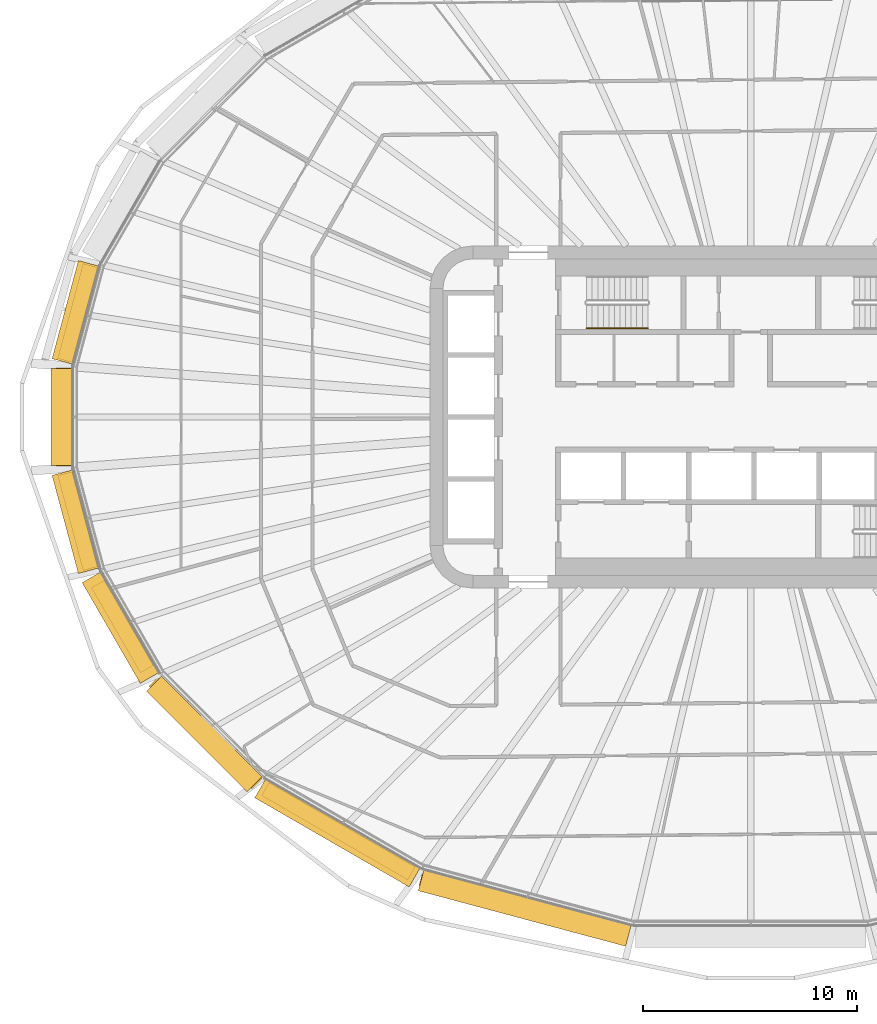
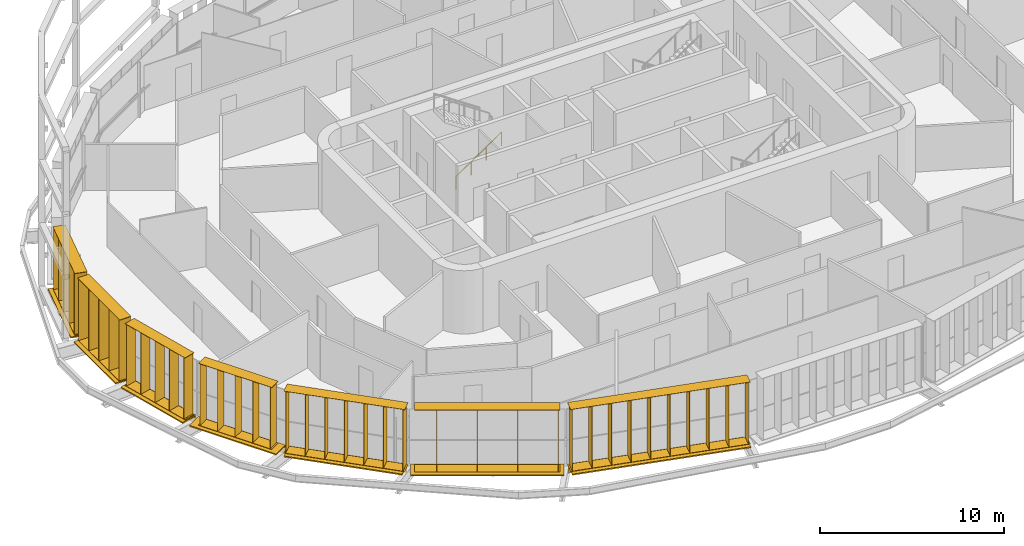
# One storey, part 21 of 26: 14 shading devices, 1 railing.
"""IFC4 building model written with IfcOpenShell, lengths in metres."""

import ifcopenshell
import ifcopenshell.guid

model = None  # the IFC model being written
_history = None  # IfcOwnerHistory: only IFC2X3 demands one
_inside = {}  # id of a spatial element -> (the spatial element, [elements in it])
_under = {}  # id of a project, library or spatial element -> (it, [spatial elements below it])
_declared = {}  # id of a project -> (the project, [libraries it declares])
_typed = {}  # id of a type object -> (the type object, [elements of that type])
_made_of = {}  # id of a material, layer set ... -> (it, [elements and type objects made of it])


def new_model(schema):
    """Start an empty IFC model of exactly this schema.

    Asked for "IFC4X3", IfcOpenShell would pick the latest addendum, in which some entities
    have other attributes; the version numbers below select the first issue.
    IFC2X3 requires an IfcOwnerHistory on every rooted entity: one is made here for all.
    """
    global model, _history
    if schema == "IFC4X3":
        model = ifcopenshell.file(schema_version=(4, 3, 0, 0))
    else:
        model = ifcopenshell.file(schema=schema)
    _inside.clear()
    _under.clear()
    _declared.clear()
    _typed.clear()
    _made_of.clear()
    _history = None
    if model.schema == "IFC2X3":
        org = make("IfcOrganization", Name="unknown")
        user = make(
            "IfcPersonAndOrganization",
            ThePerson=make("IfcPerson", FamilyName="unknown"),
            TheOrganization=org,
        )
        app = make(
            "IfcApplication",
            ApplicationDeveloper=org,
            Version="unknown",
            ApplicationFullName="unknown",
            ApplicationIdentifier="unknown",
        )
        _history = make(
            "IfcOwnerHistory",
            OwningUser=user,
            OwningApplication=app,
            ChangeAction="ADDED",
            CreationDate=0,
        )
    return model


def make(cls, **values):
    """One entity of the class cls with the attributes given. An attribute that is None is left unset."""
    return model.create_entity(
        cls, **{name: value for name, value in values.items() if value is not None}
    )


def rooted(cls, **values):
    """An entity with a GlobalId (a new one), such as an element, a storey or a relation."""
    return make(cls, GlobalId=ifcopenshell.guid.new(), OwnerHistory=_history, **values)


def si_unit(unit_type, name, prefix=None):
    """IfcSIUnit, for example si_unit("LENGTHUNIT", "METRE", prefix="MILLI")."""
    return make("IfcSIUnit", UnitType=unit_type, Prefix=prefix, Name=name)


def assignment(units):
    """IfcUnitAssignment: the units of a project."""
    return None if units is None else make("IfcUnitAssignment", Units=units)


def point(xyz):
    """IfcCartesianPoint."""
    return None if xyz is None else make("IfcCartesianPoint", Coordinates=xyz)


def direction(xyz):
    """IfcDirection."""
    return None if xyz is None else make("IfcDirection", DirectionRatios=xyz)


def frame(location, z_axis=None, x_axis=None):
    """IfcAxis2Placement3D, a coordinate frame: its origin and axes. An axis left out is left unset."""
    return make(
        "IfcAxis2Placement3D",
        Location=point(location),
        Axis=direction(z_axis),
        RefDirection=direction(x_axis),
    )


def frame_2d(location, x_axis=None):
    """IfcAxis2Placement2D, a coordinate frame in the plane: its origin and x axis."""
    return make(
        "IfcAxis2Placement2D", Location=point(location), RefDirection=direction(x_axis)
    )


def origin():
    """The frame at (0, 0, 0) with its axes left unset."""
    return frame((0.0, 0.0, 0.0))


def origin_2d():
    """The frame at (0, 0) in the plane with its x axis left unset."""
    return frame_2d((0.0, 0.0))


def place(relative_to, where):
    """IfcLocalPlacement: puts the frame where relative to a parent placement (None: the world)."""
    return make(
        "IfcLocalPlacement", PlacementRelTo=relative_to, RelativePlacement=where
    )


def context(
    kind, dimensions, precision=None, world=None, true_north=None, identifier=None
):
    """IfcGeometricRepresentationContext, for example the 3D "Model" context."""
    return make(
        "IfcGeometricRepresentationContext",
        ContextIdentifier=identifier,
        ContextType=kind,
        CoordinateSpaceDimension=dimensions,
        Precision=precision,
        WorldCoordinateSystem=world,
        TrueNorth=true_north,
    )


def subcontext(parent, identifier, kind, view, scale=None):
    """IfcGeometricRepresentationSubContext, for example "Body" below "Model"."""
    return make(
        "IfcGeometricRepresentationSubContext",
        ContextIdentifier=identifier,
        ContextType=kind,
        ParentContext=parent,
        TargetScale=scale,
        TargetView=view,
    )


def project(units=None, contexts=None):
    """IfcProject with its units and contexts."""
    return rooted(
        "IfcProject",
        Name="project",
        RepresentationContexts=contexts,
        UnitsInContext=assignment(units),
    )


def spatial(cls, under=None, at=None, **own):
    """A site, building, storey or space (cls), placed at a placement, below another one or the project."""
    s = rooted(cls, ObjectPlacement=at, **own)
    if under is not None:
        _under.setdefault(under.id(), (under, []))[1].append(s)
    return s


def profile(cls, at=None, kind="AREA", **sizes):
    """A parametric profile (cls). Its sizes go by their IFC names, for example OverallWidth=200.0."""
    return make(cls, ProfileType=kind, Position=at, **sizes)


def rectangle(**sizes):
    """IfcRectangleProfileDef."""
    return profile("IfcRectangleProfileDef", **sizes)


def circle(**sizes):
    """IfcCircleProfileDef."""
    return profile("IfcCircleProfileDef", **sizes)


def extrude(swept, where, along, depth):
    """IfcExtrudedAreaSolid: the profile swept, set in the frame where, extruded along a direction by depth."""
    return make(
        "IfcExtrudedAreaSolid",
        SweptArea=swept,
        Position=where,
        ExtrudedDirection=direction(along),
        Depth=depth,
    )


def shape(context_of_items, identifier, shape_type, items):
    """IfcShapeRepresentation: the items that make up one representation, for example the "Body"."""
    return make(
        "IfcShapeRepresentation",
        ContextOfItems=context_of_items,
        RepresentationIdentifier=identifier,
        RepresentationType=shape_type,
        Items=items,
    )


def material(Name=None, Category=None):
    """IfcMaterial."""
    return make("IfcMaterial", Name=Name, Category=Category)


def made_of(thing, what):
    """Note that an element or type object is made of a material, layer set ...; save() writes the relation."""
    if what is not None:
        _made_of.setdefault(what.id(), (what, []))[1].append(thing)
    return thing


def type_object(cls, material=None, **own):
    """A type object (cls), such as IfcWallType, which elements share."""
    return made_of(rooted(cls, **own), material)


def element(
    cls,
    number,
    at=None,
    inside=None,
    cuts=None,
    type_object=None,
    material=None,
    context=None,
    identifier="Body",
    shape_type=None,
    held_by="IfcProductDefinitionShape",
    body=None,
    shapes=None,
    **own,
):
    """One element of the class cls, such as IfcWall. Its Tag is "e" and its number.

    at: its placement. inside: the storey or other place that contains it. cuts: it is an
    opening in that element (IfcRelVoidsElement). A single representation is given by context,
    identifier, shape_type and body (its items); several are given by shapes. held_by: the class
    of the entity that holds the representations. save() writes the other relations.
    """
    e = rooted(cls, Tag="e%d" % number, ObjectPlacement=at, **own)
    if body is not None:
        shapes = [shape(context, identifier, shape_type, body)]
    if shapes is not None:
        e.Representation = make(held_by, Representations=shapes)
    if inside is not None:
        _inside.setdefault(inside.id(), (inside, []))[1].append(e)
    if cuts is not None:
        rooted(
            "IfcRelVoidsElement", RelatingBuildingElement=cuts, RelatedOpeningElement=e
        )
    if type_object is not None:
        _typed.setdefault(type_object.id(), (type_object, []))[1].append(e)
    return made_of(e, material)


def aggregate(whole, parts):
    """IfcRelAggregates: a whole, such as a stair, and the parts it consists of."""
    return rooted("IfcRelAggregates", RelatingObject=whole, RelatedObjects=parts)


def save(model, path):
    """Write the relations noted so far, then the file.

    IfcRelAggregates (storeys below a building ...), IfcRelContainedInSpatialStructure (elements
    in a storey), IfcRelDefinesByType, IfcRelAssociatesMaterial and IfcRelDeclares: one each for
    every whole, place, type object, material and project.
    """
    for whole, parts in _under.values():
        aggregate(whole, parts)
    for where, things in _inside.values():
        rooted(
            "IfcRelContainedInSpatialStructure",
            RelatedElements=things,
            RelatingStructure=where,
        )
    for kind, things in _typed.values():
        rooted("IfcRelDefinesByType", RelatedObjects=things, RelatingType=kind)
    for what, things in _made_of.values():
        rooted("IfcRelAssociatesMaterial", RelatedObjects=things, RelatingMaterial=what)
    for by, libraries in _declared.values():
        rooted("IfcRelDeclares", RelatingContext=by, RelatedDefinitions=libraries)
    model.write(path)


model = new_model("IFC4")

# Units and contexts
model_context = context("Model", 3, precision=1e-05, world=origin(), true_north=direction((0.0, 1.0)))
body_context = subcontext(model_context, "Body", "Model", "MODEL_VIEW")
ifc_project = project(units=[si_unit("LENGTHUNIT", "METRE"), si_unit("AREAUNIT", "SQUARE_METRE"), si_unit("VOLUMEUNIT", "CUBIC_METRE"), si_unit("PLANEANGLEUNIT", "RADIAN"), si_unit("MASSUNIT", "GRAM", prefix="KILO")], contexts=[model_context])

# Site, building, storey
site_placement = place(None, origin())
site = spatial("IfcSite", under=ifc_project, at=site_placement, CompositionType="ELEMENT")
building_placement = place(site_placement, origin())
building = spatial("IfcBuilding", under=site, at=building_placement, Name="Sahrelin Media Tower", CompositionType="ELEMENT")
storey_placement = place(building_placement, frame((0.0, 0.0, 84.0)))
storey = spatial("IfcBuildingStorey", under=building, at=storey_placement, Name="L15", CompositionType="ELEMENT", Elevation=84.0)

# Shading devices
ifc_material_1 = material(Name="Champagne anodised aluminium 6063-T6", Category="aluminium")
shading_device_type_1 = type_object("IfcShadingDeviceType", Name="Fin cassette", PredefinedType="USERDEFINED", material=ifc_material_1)
placement_1 = place(storey_placement, frame((-31.07080078125, 4.757568359375, 0.0), z_axis=(0.0, 0.0, 1.0), x_axis=(0.258807731996, 0.965928857556, 0.0)))
element("IfcShadingDevice", 1, at=placement_1, inside=storey, type_object=shading_device_type_1, Name="L15:FIN:L15-11", ObjectType="FIN", PredefinedType="USERDEFINED", context=body_context, shape_type="SweptSolid", body=[
    extrude(rectangle(XDim=4.60009765625, YDim=0.699951171875, at=origin_2d()), frame((0.0, 0.419921875, 0.0)), (0.0, 0.0, 1.0), 0.02001953125),
    extrude(rectangle(XDim=4.60009765625, YDim=0.699951171875, at=origin_2d()), frame((0.0, 0.419921875, 4.10009765625)), (0.0, 0.0, 1.0), 0.02001953125),
    extrude(rectangle(XDim=0.02001953125, YDim=0.699951171875, at=origin_2d()), frame((-2.199951171875, 0.419921875, 0.010009765625), z_axis=(0.0, 0.0, 1.0), x_axis=(1.0, 0.0, 0.0)), (0.0, 0.0, 1.0), 4.10009765625),
    extrude(rectangle(XDim=0.02001953125, YDim=0.699951171875, at=origin_2d()), frame((-1.10009765625, 0.419921875, 0.010009765625), z_axis=(0.0, 0.0, 1.0), x_axis=(1.0, 0.0, 0.0)), (0.0, 0.0, 1.0), 4.10009765625),
    extrude(rectangle(XDim=0.02001953125, YDim=0.699951171875, at=origin_2d()), frame((0.0, 0.419921875, 0.010009765625), z_axis=(0.0, 0.0, 1.0), x_axis=(1.0, 0.0, 0.0)), (0.0, 0.0, 1.0), 4.10009765625),
    extrude(rectangle(XDim=0.02001953125, YDim=0.699951171875, at=origin_2d()), frame((1.10009765625, 0.419921875, 0.010009765625), z_axis=(0.0, 0.0, 1.0), x_axis=(1.0, 0.0, 0.0)), (0.0, 0.0, 1.0), 4.10009765625),
    extrude(rectangle(XDim=0.02001953125, YDim=0.699951171875, at=origin_2d()), frame((2.199951171875, 0.419921875, 0.010009765625), z_axis=(0.0, 0.0, 1.0), x_axis=(1.0, 0.0, 0.0)), (0.0, 0.0, 1.0), 4.10009765625),
])
placement_2 = place(storey_placement, frame((-31.711181640625, 0.0, 0.0), z_axis=(0.0, 0.0, 1.0), x_axis=(0.0, 1.0, 0.0)))
element("IfcShadingDevice", 2, at=placement_2, inside=storey, type_object=shading_device_type_1, Name="L15:FIN:L15-12", ObjectType="FIN", PredefinedType="USERDEFINED", context=body_context, shape_type="SweptSolid", body=[
    extrude(rectangle(XDim=4.60009765625, YDim=0.699951171875, at=origin_2d()), frame((0.0, 0.419921875, 0.0)), (0.0, 0.0, 1.0), 0.02001953125),
    extrude(rectangle(XDim=4.60009765625, YDim=0.699951171875, at=origin_2d()), frame((0.0, 0.419921875, 4.10009765625)), (0.0, 0.0, 1.0), 0.02001953125),
    extrude(rectangle(XDim=0.02001953125, YDim=0.699951171875, at=origin_2d()), frame((-2.199951171875, 0.419921875, 0.010009765625), z_axis=(0.0, 0.0, 1.0), x_axis=(1.0, 0.0, 0.0)), (0.0, 0.0, 1.0), 4.10009765625),
    extrude(rectangle(XDim=0.02001953125, YDim=0.699951171875, at=origin_2d()), frame((-1.10009765625, 0.419921875, 0.010009765625), z_axis=(0.0, 0.0, 1.0), x_axis=(1.0, 0.0, 0.0)), (0.0, 0.0, 1.0), 4.10009765625),
    extrude(rectangle(XDim=0.02001953125, YDim=0.699951171875, at=origin_2d()), frame((0.0, 0.419921875, 0.010009765625), z_axis=(0.0, 0.0, 1.0), x_axis=(1.0, 0.0, 0.0)), (0.0, 0.0, 1.0), 4.10009765625),
    extrude(rectangle(XDim=0.02001953125, YDim=0.699951171875, at=origin_2d()), frame((1.10009765625, 0.419921875, 0.010009765625), z_axis=(0.0, 0.0, 1.0), x_axis=(1.0, 0.0, 0.0)), (0.0, 0.0, 1.0), 4.10009765625),
    extrude(rectangle(XDim=0.02001953125, YDim=0.699951171875, at=origin_2d()), frame((2.199951171875, 0.419921875, 0.010009765625), z_axis=(0.0, 0.0, 1.0), x_axis=(1.0, 0.0, 0.0)), (0.0, 0.0, 1.0), 4.10009765625),
])
placement_3 = place(storey_placement, frame((-31.07080078125, -4.757568359375, 0.0), z_axis=(0.0, 0.0, 1.0), x_axis=(-0.258807731996, 0.965928857556, 0.0)))
element("IfcShadingDevice", 3, at=placement_3, inside=storey, type_object=shading_device_type_1, Name="L15:FIN:L15-13", ObjectType="FIN", PredefinedType="USERDEFINED", context=body_context, shape_type="SweptSolid", body=[
    extrude(rectangle(XDim=4.60009765625, YDim=0.699951171875, at=origin_2d()), frame((0.0, 0.419921875, 0.0)), (0.0, 0.0, 1.0), 0.02001953125),
    extrude(rectangle(XDim=4.60009765625, YDim=0.699951171875, at=origin_2d()), frame((0.0, 0.419921875, 4.10009765625)), (0.0, 0.0, 1.0), 0.02001953125),
    extrude(rectangle(XDim=0.02001953125, YDim=0.699951171875, at=origin_2d()), frame((-2.199951171875, 0.419921875, 0.010009765625), z_axis=(0.0, 0.0, 1.0), x_axis=(1.0, 0.0, 0.0)), (0.0, 0.0, 1.0), 4.10009765625),
    extrude(rectangle(XDim=0.02001953125, YDim=0.699951171875, at=origin_2d()), frame((-1.10009765625, 0.419921875, 0.010009765625), z_axis=(0.0, 0.0, 1.0), x_axis=(1.0, 0.0, 0.0)), (0.0, 0.0, 1.0), 4.10009765625),
    extrude(rectangle(XDim=0.02001953125, YDim=0.699951171875, at=origin_2d()), frame((0.0, 0.419921875, 0.010009765625), z_axis=(0.0, 0.0, 1.0), x_axis=(1.0, 0.0, 0.0)), (0.0, 0.0, 1.0), 4.10009765625),
    extrude(rectangle(XDim=0.02001953125, YDim=0.699951171875, at=origin_2d()), frame((1.10009765625, 0.419921875, 0.010009765625), z_axis=(0.0, 0.0, 1.0), x_axis=(1.0, 0.0, 0.0)), (0.0, 0.0, 1.0), 4.10009765625),
    extrude(rectangle(XDim=0.02001953125, YDim=0.699951171875, at=origin_2d()), frame((2.199951171875, 0.419921875, 0.010009765625), z_axis=(0.0, 0.0, 1.0), x_axis=(1.0, 0.0, 0.0)), (0.0, 0.0, 1.0), 4.10009765625),
])
placement_4 = place(storey_placement, frame((-29.021484375, -9.58837890625, 0.0), z_axis=(0.0, 0.0, 1.0), x_axis=(-0.500011000363, 0.866019052629, 0.0)))
element("IfcShadingDevice", 4, at=placement_4, inside=storey, type_object=shading_device_type_1, Name="L15:FIN:L15-14", ObjectType="FIN", PredefinedType="USERDEFINED", context=body_context, shape_type="SweptSolid", body=[
    extrude(rectangle(XDim=4.60009765625, YDim=0.699951171875, at=origin_2d()), frame((0.0, 0.419921875, 0.0)), (0.0, 0.0, 1.0), 0.02001953125),
    extrude(rectangle(XDim=4.60009765625, YDim=0.699951171875, at=origin_2d()), frame((0.0, 0.419921875, 4.10009765625)), (0.0, 0.0, 1.0), 0.02001953125),
    extrude(rectangle(XDim=0.02001953125, YDim=0.699951171875, at=origin_2d()), frame((-2.199951171875, 0.419921875, 0.010009765625), z_axis=(0.0, 0.0, 1.0), x_axis=(1.0, 0.0, 0.0)), (0.0, 0.0, 1.0), 4.10009765625),
    extrude(rectangle(XDim=0.02001953125, YDim=0.699951171875, at=origin_2d()), frame((-1.10009765625, 0.419921875, 0.010009765625), z_axis=(0.0, 0.0, 1.0), x_axis=(1.0, 0.0, 0.0)), (0.0, 0.0, 1.0), 4.10009765625),
    extrude(rectangle(XDim=0.02001953125, YDim=0.699951171875, at=origin_2d()), frame((0.0, 0.419921875, 0.010009765625), z_axis=(0.0, 0.0, 1.0), x_axis=(1.0, 0.0, 0.0)), (0.0, 0.0, 1.0), 4.10009765625),
    extrude(rectangle(XDim=0.02001953125, YDim=0.699951171875, at=origin_2d()), frame((1.10009765625, 0.419921875, 0.010009765625), z_axis=(0.0, 0.0, 1.0), x_axis=(1.0, 0.0, 0.0)), (0.0, 0.0, 1.0), 4.10009765625),
    extrude(rectangle(XDim=0.02001953125, YDim=0.699951171875, at=origin_2d()), frame((2.199951171875, 0.419921875, 0.010009765625), z_axis=(0.0, 0.0, 1.0), x_axis=(1.0, 0.0, 0.0)), (0.0, 0.0, 1.0), 4.10009765625),
])
placement_5 = place(storey_placement, frame((-25.192138671875, -14.448486328125, 0.0), z_axis=(0.0, 0.0, 1.0), x_axis=(-0.707106781187, 0.707106781187, 0.0)))
element("IfcShadingDevice", 5, at=placement_5, inside=storey, type_object=shading_device_type_1, Name="L15:FIN:L15-15", ObjectType="FIN", PredefinedType="USERDEFINED", context=body_context, shape_type="SweptSolid", body=[
    extrude(rectangle(XDim=6.800048828125, YDim=0.699951171875, at=origin_2d()), frame((0.0, 0.419921875, 0.0)), (0.0, 0.0, 1.0), 0.02001953125),
    extrude(rectangle(XDim=6.800048828125, YDim=0.699951171875, at=origin_2d()), frame((0.0, 0.419921875, 4.10009765625)), (0.0, 0.0, 1.0), 0.02001953125),
    extrude(rectangle(XDim=0.02001953125, YDim=0.699951171875, at=origin_2d()), frame((-3.300048828125, 0.419921875, 0.010009765625), z_axis=(0.0, 0.0, 1.0), x_axis=(1.0, 0.0, 0.0)), (0.0, 0.0, 1.0), 4.10009765625),
    extrude(rectangle(XDim=0.02001953125, YDim=0.699951171875, at=origin_2d()), frame((-2.199951171875, 0.419921875, 0.010009765625), z_axis=(0.0, 0.0, 1.0), x_axis=(1.0, 0.0, 0.0)), (0.0, 0.0, 1.0), 4.10009765625),
    extrude(rectangle(XDim=0.02001953125, YDim=0.699951171875, at=origin_2d()), frame((-1.10009765625, 0.419921875, 0.010009765625), z_axis=(0.0, 0.0, 1.0), x_axis=(1.0, 0.0, 0.0)), (0.0, 0.0, 1.0), 4.10009765625),
    extrude(rectangle(XDim=0.02001953125, YDim=0.699951171875, at=origin_2d()), frame((0.0, 0.419921875, 0.010009765625), z_axis=(0.0, 0.0, 1.0), x_axis=(1.0, 0.0, 0.0)), (0.0, 0.0, 1.0), 4.10009765625),
    extrude(rectangle(XDim=0.02001953125, YDim=0.699951171875, at=origin_2d()), frame((1.10009765625, 0.419921875, 0.010009765625), z_axis=(0.0, 0.0, 1.0), x_axis=(1.0, 0.0, 0.0)), (0.0, 0.0, 1.0), 4.10009765625),
    extrude(rectangle(XDim=0.02001953125, YDim=0.699951171875, at=origin_2d()), frame((2.199951171875, 0.419921875, 0.010009765625), z_axis=(0.0, 0.0, 1.0), x_axis=(1.0, 0.0, 0.0)), (0.0, 0.0, 1.0), 4.10009765625),
    extrude(rectangle(XDim=0.02001953125, YDim=0.699951171875, at=origin_2d()), frame((3.300048828125, 0.419921875, 0.010009765625), z_axis=(0.0, 0.0, 1.0), x_axis=(1.0, 0.0, 0.0)), (0.0, 0.0, 1.0), 4.10009765625),
])
placement_6 = place(storey_placement, frame((-19.074951171875, -19.003662109375, 0.0), z_axis=(0.0, 0.0, 1.0), x_axis=(-0.866019052629, 0.500011000363, 0.0)))
element("IfcShadingDevice", 6, at=placement_6, inside=storey, type_object=shading_device_type_1, Name="L15:FIN:L15-16", ObjectType="FIN", PredefinedType="USERDEFINED", context=body_context, shape_type="SweptSolid", body=[
    extrude(rectangle(XDim=7.89990234375, YDim=0.699951171875, at=origin_2d()), frame((0.0, 0.419921875, 0.0)), (0.0, 0.0, 1.0), 0.02001953125),
    extrude(rectangle(XDim=7.89990234375, YDim=0.699951171875, at=origin_2d()), frame((0.0, 0.419921875, 4.10009765625)), (0.0, 0.0, 1.0), 0.02001953125),
    extrude(rectangle(XDim=0.02001953125, YDim=0.699951171875, at=origin_2d()), frame((-3.85009765625, 0.419921875, 0.010009765625), z_axis=(0.0, 0.0, 1.0), x_axis=(1.0, 0.0, 0.0)), (0.0, 0.0, 1.0), 4.10009765625),
    extrude(rectangle(XDim=0.02001953125, YDim=0.699951171875, at=origin_2d()), frame((-2.75, 0.419921875, 0.010009765625), z_axis=(0.0, 0.0, 1.0), x_axis=(1.0, 0.0, 0.0)), (0.0, 0.0, 1.0), 4.10009765625),
    extrude(rectangle(XDim=0.02001953125, YDim=0.699951171875, at=origin_2d()), frame((-1.64990234375, 0.419921875, 0.010009765625), z_axis=(0.0, 0.0, 1.0), x_axis=(1.0, 0.0, 0.0)), (0.0, 0.0, 1.0), 4.10009765625),
    extrude(rectangle(XDim=0.02001953125, YDim=0.699951171875, at=origin_2d()), frame((-0.550048828125, 0.419921875, 0.010009765625), z_axis=(0.0, 0.0, 1.0), x_axis=(1.0, 0.0, 0.0)), (0.0, 0.0, 1.0), 4.10009765625),
    extrude(rectangle(XDim=0.02001953125, YDim=0.699951171875, at=origin_2d()), frame((0.550048828125, 0.419921875, 0.010009765625), z_axis=(0.0, 0.0, 1.0), x_axis=(1.0, 0.0, 0.0)), (0.0, 0.0, 1.0), 4.10009765625),
    extrude(rectangle(XDim=0.02001953125, YDim=0.699951171875, at=origin_2d()), frame((1.64990234375, 0.419921875, 0.010009765625), z_axis=(0.0, 0.0, 1.0), x_axis=(1.0, 0.0, 0.0)), (0.0, 0.0, 1.0), 4.10009765625),
    extrude(rectangle(XDim=0.02001953125, YDim=0.699951171875, at=origin_2d()), frame((2.75, 0.419921875, 0.010009765625), z_axis=(0.0, 0.0, 1.0), x_axis=(1.0, 0.0, 0.0)), (0.0, 0.0, 1.0), 4.10009765625),
    extrude(rectangle(XDim=0.02001953125, YDim=0.699951171875, at=origin_2d()), frame((3.85009765625, 0.419921875, 0.010009765625), z_axis=(0.0, 0.0, 1.0), x_axis=(1.0, 0.0, 0.0)), (0.0, 0.0, 1.0), 4.10009765625),
])
placement_7 = place(storey_placement, frame((-10.436279296875, -22.462158203125, 0.0), z_axis=(0.0, 0.0, 1.0), x_axis=(-0.965928857556, 0.258807731996, 0.0)))
element("IfcShadingDevice", 7, at=placement_7, inside=storey, type_object=shading_device_type_1, Name="L15:FIN:L15-17", ObjectType="FIN", PredefinedType="USERDEFINED", context=body_context, shape_type="SweptSolid", body=[
    extrude(rectangle(XDim=10.10009765625, YDim=0.699951171875, at=origin_2d()), frame((0.0, 0.419921875, 0.0)), (0.0, 0.0, 1.0), 0.02001953125),
    extrude(rectangle(XDim=10.10009765625, YDim=0.699951171875, at=origin_2d()), frame((0.0, 0.419921875, 4.10009765625)), (0.0, 0.0, 1.0), 0.02001953125),
    extrude(rectangle(XDim=0.02001953125, YDim=0.699951171875, at=origin_2d()), frame((-4.949951171875, 0.419921875, 0.010009765625), z_axis=(0.0, 0.0, 1.0), x_axis=(1.0, 0.0, 0.0)), (0.0, 0.0, 1.0), 4.10009765625),
    extrude(rectangle(XDim=0.02001953125, YDim=0.699951171875, at=origin_2d()), frame((-3.85009765625, 0.419921875, 0.010009765625), z_axis=(0.0, 0.0, 1.0), x_axis=(1.0, 0.0, 0.0)), (0.0, 0.0, 1.0), 4.10009765625),
    extrude(rectangle(XDim=0.02001953125, YDim=0.699951171875, at=origin_2d()), frame((-2.75, 0.419921875, 0.010009765625), z_axis=(0.0, 0.0, 1.0), x_axis=(1.0, 0.0, 0.0)), (0.0, 0.0, 1.0), 4.10009765625),
    extrude(rectangle(XDim=0.02001953125, YDim=0.699951171875, at=origin_2d()), frame((-1.64990234375, 0.419921875, 0.010009765625), z_axis=(0.0, 0.0, 1.0), x_axis=(1.0, 0.0, 0.0)), (0.0, 0.0, 1.0), 4.10009765625),
    extrude(rectangle(XDim=0.02001953125, YDim=0.699951171875, at=origin_2d()), frame((-0.550048828125, 0.419921875, 0.010009765625), z_axis=(0.0, 0.0, 1.0), x_axis=(1.0, 0.0, 0.0)), (0.0, 0.0, 1.0), 4.10009765625),
    extrude(rectangle(XDim=0.02001953125, YDim=0.699951171875, at=origin_2d()), frame((0.550048828125, 0.419921875, 0.010009765625), z_axis=(0.0, 0.0, 1.0), x_axis=(1.0, 0.0, 0.0)), (0.0, 0.0, 1.0), 4.10009765625),
    extrude(rectangle(XDim=0.02001953125, YDim=0.699951171875, at=origin_2d()), frame((1.64990234375, 0.419921875, 0.010009765625), z_axis=(0.0, 0.0, 1.0), x_axis=(1.0, 0.0, 0.0)), (0.0, 0.0, 1.0), 4.10009765625),
    extrude(rectangle(XDim=0.02001953125, YDim=0.699951171875, at=origin_2d()), frame((2.75, 0.419921875, 0.010009765625), z_axis=(0.0, 0.0, 1.0), x_axis=(1.0, 0.0, 0.0)), (0.0, 0.0, 1.0), 4.10009765625),
    extrude(rectangle(XDim=0.02001953125, YDim=0.699951171875, at=origin_2d()), frame((3.85009765625, 0.419921875, 0.010009765625), z_axis=(0.0, 0.0, 1.0), x_axis=(1.0, 0.0, 0.0)), (0.0, 0.0, 1.0), 4.10009765625),
    extrude(rectangle(XDim=0.02001953125, YDim=0.699951171875, at=origin_2d()), frame((4.949951171875, 0.419921875, 0.010009765625), z_axis=(0.0, 0.0, 1.0), x_axis=(1.0, 0.0, 0.0)), (0.0, 0.0, 1.0), 4.10009765625),
])

# Railing
ifc_material_2 = material(Name="Steel S355", Category="steel")
railing_type = type_object("IfcRailingType", Name="Stair handrail 900", PredefinedType="HANDRAIL", material=ifc_material_2)
railing_placement = place(storey_placement, frame((-7.675048828125, 4.14990234375, 0.175048828125)))
element("IfcRailing", 8, at=railing_placement, inside=storey, type_object=railing_type, Name="L15 ST1 stair handrail 1", PredefinedType="HANDRAIL", context=body_context, shape_type="SweptSolid", body=[
    extrude(circle(Radius=0.02392578125, at=origin_2d()), frame((0.0, 0.0, 0.8759765625), z_axis=(0.829590901723, 0.0, 0.558371682465), x_axis=(0.0, 1.0, 0.0)), (0.0, 0.0, 1.0), 3.447509765625),
    extrude(circle(Radius=0.02099609375, at=origin_2d()), origin(), (0.0, 0.0, 1.0), 0.851806640625),
    extrude(circle(Radius=0.02099609375, at=origin_2d()), frame((0.953369140625, 0.0, 0.6416015625)), (0.0, 0.0, 1.0), 0.851806640625),
    extrude(circle(Radius=0.02099609375, at=origin_2d()), frame((1.90673828125, 0.0, 1.283447265625)), (0.0, 0.0, 1.0), 0.851806640625),
    extrude(circle(Radius=0.02099609375, at=origin_2d()), frame((2.860107421875, 0.0, 1.925048828125)), (0.0, 0.0, 1.0), 0.851806640625),
])

# Shading devices
shading_device_type_2 = type_object("IfcShadingDeviceType", Name="Sunshade band", PredefinedType="USERDEFINED", material=ifc_material_1)
element("IfcShadingDevice", 9, at=placement_1, inside=storey, type_object=shading_device_type_2, Name="L15:SUN:L15-11", ObjectType="SUNSHADE", PredefinedType="USERDEFINED", context=body_context, shape_type="SweptSolid", body=[
    extrude(rectangle(XDim=4.75048828125, YDim=0.050048828125, at=origin_2d()), frame((0.0, 0.044921875, -0.55126953125)), (0.0, 0.0, 1.0), 0.471435546875),
    extrude(rectangle(XDim=4.75048828125, YDim=1.0, at=origin_2d()), frame((0.0, 0.52001953125, -0.080078125)), (0.0, 0.0, 1.0), 0.080078125),
    extrude(rectangle(XDim=0.10009765625, YDim=0.074951171875, at=origin_2d()), frame((-2.275390625, -0.017578125, -0.47021484375)), (0.0, 0.0, 1.0), 0.300048828125),
    extrude(rectangle(XDim=0.10009765625, YDim=0.074951171875, at=origin_2d()), frame((-0.75830078125, -0.017578125, -0.47021484375)), (0.0, 0.0, 1.0), 0.300048828125),
    extrude(rectangle(XDim=0.10009765625, YDim=0.074951171875, at=origin_2d()), frame((0.75830078125, -0.017578125, -0.47021484375)), (0.0, 0.0, 1.0), 0.300048828125),
    extrude(rectangle(XDim=0.10009765625, YDim=0.074951171875, at=origin_2d()), frame((2.275390625, -0.017578125, -0.47021484375)), (0.0, 0.0, 1.0), 0.300048828125),
])
element("IfcShadingDevice", 10, at=placement_2, inside=storey, type_object=shading_device_type_2, Name="L15:SUN:L15-12", ObjectType="SUNSHADE", PredefinedType="USERDEFINED", context=body_context, shape_type="SweptSolid", body=[
    extrude(rectangle(XDim=4.533447265625, YDim=0.050048828125, at=origin_2d()), frame((0.0, 0.044921875, -0.55126953125)), (0.0, 0.0, 1.0), 0.471435546875),
    extrude(rectangle(XDim=4.533447265625, YDim=1.0, at=origin_2d()), frame((0.0, 0.52001953125, -0.080078125)), (0.0, 0.0, 1.0), 0.080078125),
    extrude(rectangle(XDim=0.10009765625, YDim=0.074951171875, at=origin_2d()), frame((-2.166748046875, -0.017578125, -0.47021484375)), (0.0, 0.0, 1.0), 0.300048828125),
    extrude(rectangle(XDim=0.10009765625, YDim=0.074951171875, at=origin_2d()), frame((-0.72216796875, -0.017578125, -0.47021484375)), (0.0, 0.0, 1.0), 0.300048828125),
    extrude(rectangle(XDim=0.10009765625, YDim=0.074951171875, at=origin_2d()), frame((0.72216796875, -0.017578125, -0.47021484375)), (0.0, 0.0, 1.0), 0.300048828125),
    extrude(rectangle(XDim=0.10009765625, YDim=0.074951171875, at=origin_2d()), frame((2.166748046875, -0.017578125, -0.47021484375)), (0.0, 0.0, 1.0), 0.300048828125),
])
element("IfcShadingDevice", 11, at=placement_3, inside=storey, type_object=shading_device_type_2, Name="L15:SUN:L15-13", ObjectType="SUNSHADE", PredefinedType="USERDEFINED", context=body_context, shape_type="SweptSolid", body=[
    extrude(rectangle(XDim=4.75048828125, YDim=0.050048828125, at=origin_2d()), frame((0.0, 0.044921875, -0.55126953125)), (0.0, 0.0, 1.0), 0.471435546875),
    extrude(rectangle(XDim=4.75048828125, YDim=1.0, at=origin_2d()), frame((0.0, 0.52001953125, -0.080078125)), (0.0, 0.0, 1.0), 0.080078125),
    extrude(rectangle(XDim=0.10009765625, YDim=0.074951171875, at=origin_2d()), frame((-2.275390625, -0.017578125, -0.47021484375)), (0.0, 0.0, 1.0), 0.300048828125),
    extrude(rectangle(XDim=0.10009765625, YDim=0.074951171875, at=origin_2d()), frame((-0.75830078125, -0.017578125, -0.47021484375)), (0.0, 0.0, 1.0), 0.300048828125),
    extrude(rectangle(XDim=0.10009765625, YDim=0.074951171875, at=origin_2d()), frame((0.75830078125, -0.017578125, -0.47021484375)), (0.0, 0.0, 1.0), 0.300048828125),
    extrude(rectangle(XDim=0.10009765625, YDim=0.074951171875, at=origin_2d()), frame((2.275390625, -0.017578125, -0.47021484375)), (0.0, 0.0, 1.0), 0.300048828125),
])
element("IfcShadingDevice", 12, at=placement_4, inside=storey, type_object=shading_device_type_2, Name="L15:SUN:L15-14", ObjectType="SUNSHADE", PredefinedType="USERDEFINED", context=body_context, shape_type="SweptSolid", body=[
    extrude(rectangle(XDim=5.43408203125, YDim=0.050048828125, at=origin_2d()), frame((0.0, 0.044921875, -0.55126953125)), (0.0, 0.0, 1.0), 0.471435546875),
    extrude(rectangle(XDim=5.43408203125, YDim=1.0, at=origin_2d()), frame((0.0, 0.52001953125, -0.080078125)), (0.0, 0.0, 1.0), 0.080078125),
    extrude(rectangle(XDim=0.10009765625, YDim=0.074951171875, at=origin_2d()), frame((-2.616943359375, -0.017578125, -0.47021484375)), (0.0, 0.0, 1.0), 0.300048828125),
    extrude(rectangle(XDim=0.10009765625, YDim=0.074951171875, at=origin_2d()), frame((-0.872314453125, -0.017578125, -0.47021484375)), (0.0, 0.0, 1.0), 0.300048828125),
    extrude(rectangle(XDim=0.10009765625, YDim=0.074951171875, at=origin_2d()), frame((0.872314453125, -0.017578125, -0.47021484375)), (0.0, 0.0, 1.0), 0.300048828125),
    extrude(rectangle(XDim=0.10009765625, YDim=0.074951171875, at=origin_2d()), frame((2.616943359375, -0.017578125, -0.47021484375)), (0.0, 0.0, 1.0), 0.300048828125),
])
element("IfcShadingDevice", 13, at=placement_5, inside=storey, type_object=shading_device_type_2, Name="L15:SUN:L15-15", ObjectType="SUNSHADE", PredefinedType="USERDEFINED", context=body_context, shape_type="SweptSolid", body=[
    extrude(rectangle(XDim=6.64697265625, YDim=0.050048828125, at=origin_2d()), frame((0.0, 0.044921875, -0.55126953125)), (0.0, 0.0, 1.0), 0.471435546875),
    extrude(rectangle(XDim=6.64697265625, YDim=1.0, at=origin_2d()), frame((0.0, 0.52001953125, -0.080078125)), (0.0, 0.0, 1.0), 0.080078125),
    extrude(rectangle(XDim=0.10009765625, YDim=0.074951171875, at=origin_2d()), frame((-3.223388671875, -0.017578125, -0.47021484375)), (0.0, 0.0, 1.0), 0.300048828125),
    extrude(rectangle(XDim=0.10009765625, YDim=0.074951171875, at=origin_2d()), frame((-1.61181640625, -0.017578125, -0.47021484375)), (0.0, 0.0, 1.0), 0.300048828125),
    extrude(rectangle(XDim=0.10009765625, YDim=0.074951171875, at=origin_2d()), frame((0.0, -0.017578125, -0.47021484375)), (0.0, 0.0, 1.0), 0.300048828125),
    extrude(rectangle(XDim=0.10009765625, YDim=0.074951171875, at=origin_2d()), frame((1.61181640625, -0.017578125, -0.47021484375)), (0.0, 0.0, 1.0), 0.300048828125),
    extrude(rectangle(XDim=0.10009765625, YDim=0.074951171875, at=origin_2d()), frame((3.223388671875, -0.017578125, -0.47021484375)), (0.0, 0.0, 1.0), 0.300048828125),
])
element("IfcShadingDevice", 14, at=placement_6, inside=storey, type_object=shading_device_type_2, Name="L15:SUN:L15-16", ObjectType="SUNSHADE", PredefinedType="USERDEFINED", context=body_context, shape_type="SweptSolid", body=[
    extrude(rectangle(XDim=8.336669921875, YDim=0.050048828125, at=origin_2d()), frame((0.0, 0.044921875, -0.55126953125)), (0.0, 0.0, 1.0), 0.471435546875),
    extrude(rectangle(XDim=8.336669921875, YDim=1.0, at=origin_2d()), frame((0.0, 0.52001953125, -0.080078125)), (0.0, 0.0, 1.0), 0.080078125),
    extrude(rectangle(XDim=0.10009765625, YDim=0.074951171875, at=origin_2d()), frame((-4.068359375, -0.017578125, -0.47021484375)), (0.0, 0.0, 1.0), 0.300048828125),
    extrude(rectangle(XDim=0.10009765625, YDim=0.074951171875, at=origin_2d()), frame((-2.44091796875, -0.017578125, -0.47021484375)), (0.0, 0.0, 1.0), 0.300048828125),
    extrude(rectangle(XDim=0.10009765625, YDim=0.074951171875, at=origin_2d()), frame((-0.813720703125, -0.017578125, -0.47021484375)), (0.0, 0.0, 1.0), 0.300048828125),
    extrude(rectangle(XDim=0.10009765625, YDim=0.074951171875, at=origin_2d()), frame((0.813720703125, -0.017578125, -0.47021484375)), (0.0, 0.0, 1.0), 0.300048828125),
    extrude(rectangle(XDim=0.10009765625, YDim=0.074951171875, at=origin_2d()), frame((2.44091796875, -0.017578125, -0.47021484375)), (0.0, 0.0, 1.0), 0.300048828125),
    extrude(rectangle(XDim=0.10009765625, YDim=0.074951171875, at=origin_2d()), frame((4.068359375, -0.017578125, -0.47021484375)), (0.0, 0.0, 1.0), 0.300048828125),
])
element("IfcShadingDevice", 15, at=placement_7, inside=storey, type_object=shading_device_type_2, Name="L15:SUN:L15-17", ObjectType="SUNSHADE", PredefinedType="USERDEFINED", context=body_context, shape_type="SweptSolid", body=[
    extrude(rectangle(XDim=10.033203125, YDim=0.050048828125, at=origin_2d()), frame((0.0, 0.044921875, -0.55126953125)), (0.0, 0.0, 1.0), 0.471435546875),
    extrude(rectangle(XDim=10.033203125, YDim=1.0, at=origin_2d()), frame((0.0, 0.52001953125, -0.080078125)), (0.0, 0.0, 1.0), 0.080078125),
    extrude(rectangle(XDim=0.10009765625, YDim=0.074951171875, at=origin_2d()), frame((-4.91650390625, -0.017578125, -0.47021484375)), (0.0, 0.0, 1.0), 0.300048828125),
    extrude(rectangle(XDim=0.10009765625, YDim=0.074951171875, at=origin_2d()), frame((-3.277587890625, -0.017578125, -0.47021484375)), (0.0, 0.0, 1.0), 0.300048828125),
    extrude(rectangle(XDim=0.10009765625, YDim=0.074951171875, at=origin_2d()), frame((-1.638916015625, -0.017578125, -0.47021484375)), (0.0, 0.0, 1.0), 0.300048828125),
    extrude(rectangle(XDim=0.10009765625, YDim=0.074951171875, at=origin_2d()), frame((0.0, -0.017578125, -0.47021484375)), (0.0, 0.0, 1.0), 0.300048828125),
    extrude(rectangle(XDim=0.10009765625, YDim=0.074951171875, at=origin_2d()), frame((1.638916015625, -0.017578125, -0.47021484375)), (0.0, 0.0, 1.0), 0.300048828125),
    extrude(rectangle(XDim=0.10009765625, YDim=0.074951171875, at=origin_2d()), frame((3.277587890625, -0.017578125, -0.47021484375)), (0.0, 0.0, 1.0), 0.300048828125),
    extrude(rectangle(XDim=0.10009765625, YDim=0.074951171875, at=origin_2d()), frame((4.91650390625, -0.017578125, -0.47021484375)), (0.0, 0.0, 1.0), 0.300048828125),
])

save(model, "model.ifc")
